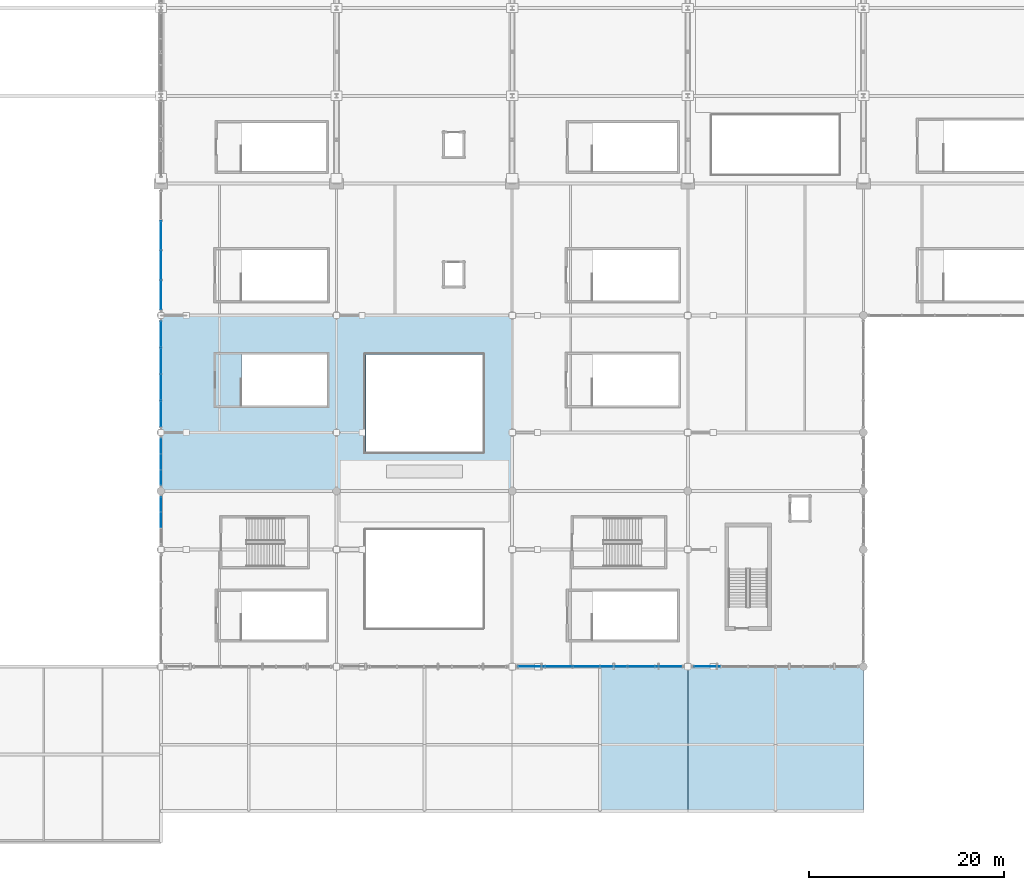
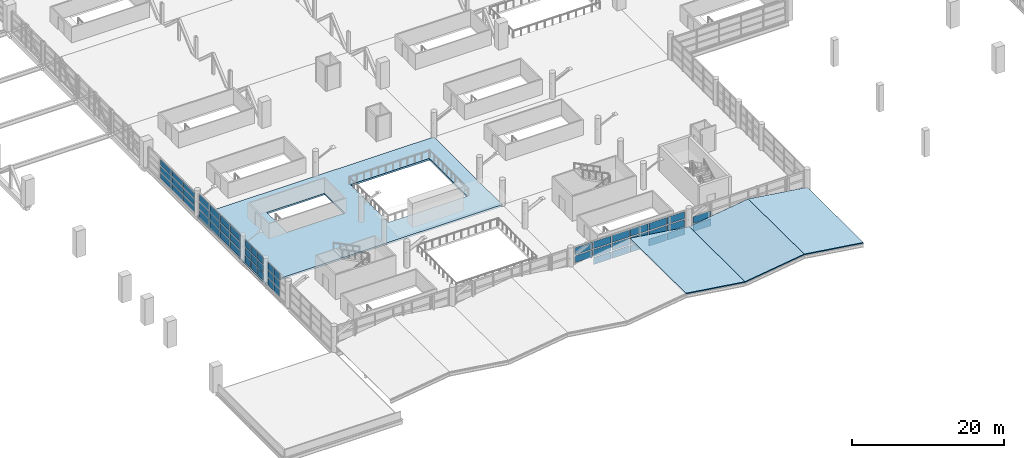
# One storey, part 98 of 136: 55 plates, 4 slabs, 6 elements without a shape of their own.
"""IFC4 building model written with IfcOpenShell, lengths in metres."""

from ifc_helpers import new_model, si_unit, direction, frame, origin, origin_2d, place, context, subcontext, project, spatial, polyline, rectangle, outline, extrude, material, layer, layer_set, type_object, element, aggregate, save


model = new_model("IFC4")

# Units and contexts
model_context = context("Model", 3, precision=1e-05, world=origin(), true_north=direction((0.0, 1.0)))
body_context = subcontext(model_context, "Body", "Model", "MODEL_VIEW")
ifc_project = project(units=[si_unit("LENGTHUNIT", "METRE"), si_unit("AREAUNIT", "SQUARE_METRE"), si_unit("VOLUMEUNIT", "CUBIC_METRE"), si_unit("PLANEANGLEUNIT", "RADIAN"), si_unit("MASSUNIT", "GRAM", prefix="KILO")], contexts=[model_context])

# Site, building, storey
site_placement = place(None, origin())
site = spatial("IfcSite", under=ifc_project, at=site_placement, CompositionType="ELEMENT")
building_placement = place(site_placement, origin())
building = spatial("IfcBuilding", under=site, at=building_placement, Name="Chuanluo Vaults Station", CompositionType="ELEMENT")
storey_placement = place(building_placement, frame((0.0, 0.0, 6.60009765625)))
storey = spatial("IfcBuildingStorey", under=building, at=storey_placement, Name="L01", CompositionType="ELEMENT", Elevation=6.60009765625)

# Curtain wall, plates
ifc_material_1 = material(Name="Anodised aluminium 6063-T6", Category="aluminium")
curtain_wall_type_1 = type_object("IfcCurtainWallType", Name="CW-SYS-03", PredefinedType="NOTDEFINED", material=ifc_material_1)
curtain_wall_1_placement = place(storey_placement, origin())
curtain_wall_1 = element("IfcCurtainWall", 1, at=curtain_wall_1_placement, inside=storey, type_object=curtain_wall_type_1, Name="Concourse west curtain wall 30 part 1", PredefinedType="NOTDEFINED")
ifc_material_2 = material(Name="Ceramic-fritted spandrel glass", Category="glass")
ifc_layer_1 = layer(ifc_material_2, 0.06396484375)
ifc_layer_set_1 = layer_set([ifc_layer_1], Name="Ceramic-fritted spandrel glass")
plate_type_1 = type_object("IfcPlateType", Name="CWP-SPN-42", PredefinedType="SHEET", material=ifc_layer_set_1)
plate_1_placement = place(storey_placement, frame((18.0, 33.0, 0.080078125), z_axis=(0.0, 0.0, 1.0), x_axis=(0.0, 1.0, 0.0)))
plate_1 = element("IfcPlate", 2, at=plate_1_placement, type_object=plate_type_1, Name="Concourse west curtain wall 30 part 1 glazed panel 2.1", PredefinedType="SHEET", context=body_context, shape_type="SweptSolid", body=[
    extrude(rectangle(XDim=1.456787109375, YDim=0.06396484375, at=origin_2d()), origin(), (0.0, 0.0, 1.0), 1.123291015625),
])
plate_2_placement = place(storey_placement, frame((18.0, 34.61669921875, 0.080078125), z_axis=(0.0, 0.0, 1.0), x_axis=(0.0, 1.0, 0.0)))
plate_2 = element("IfcPlate", 3, at=plate_2_placement, type_object=plate_type_1, Name="Concourse west curtain wall 30 part 1 glazed panel 3.1", PredefinedType="SHEET", context=body_context, shape_type="SweptSolid", body=[
    extrude(rectangle(XDim=1.456787109375, YDim=0.06396484375, at=origin_2d()), origin(), (0.0, 0.0, 1.0), 1.123291015625),
])

ifc_material_3 = material(Name="Anodised aluminium 6063-T6", Category="aluminium")
curtain_wall_type_2 = type_object("IfcCurtainWallType", Name="CW-SYS-09", PredefinedType="NOTDEFINED", material=ifc_material_3)
curtain_wall_2_placement = place(storey_placement, origin())
curtain_wall_2 = element("IfcCurtainWall", 4, at=curtain_wall_2_placement, inside=storey, type_object=curtain_wall_type_2, Name="Concourse west curtain wall 42", PredefinedType="NOTDEFINED")
plate_3_placement = place(storey_placement, frame((18.0, 43.931396484375, 0.080078125), z_axis=(0.0, 0.0, 1.0), x_axis=(0.0, 1.0, 0.0)))
plate_3 = element("IfcPlate", 5, at=plate_3_placement, type_object=plate_type_1, Name="Concourse west curtain wall 42 glazed panel 1.1", PredefinedType="SHEET", context=body_context, shape_type="SweptSolid", body=[
    extrude(rectangle(XDim=2.552490234375, YDim=0.06396484375, at=origin_2d()), origin(), (0.0, 0.0, 1.0), 1.123291015625),
])
plate_4_placement = place(storey_placement, frame((18.0, 46.643798828125, 0.080078125), z_axis=(0.0, 0.0, 1.0), x_axis=(0.0, 1.0, 0.0)))
plate_4 = element("IfcPlate", 6, at=plate_4_placement, type_object=plate_type_1, Name="Concourse west curtain wall 42 glazed panel 2.1", PredefinedType="SHEET", context=body_context, shape_type="SweptSolid", body=[
    extrude(rectangle(XDim=2.552490234375, YDim=0.06396484375, at=origin_2d()), origin(), (0.0, 0.0, 1.0), 1.123291015625),
])
plate_5_placement = place(storey_placement, frame((18.0, 49.356201171875, 0.080078125), z_axis=(0.0, 0.0, 1.0), x_axis=(0.0, 1.0, 0.0)))
plate_5 = element("IfcPlate", 7, at=plate_5_placement, type_object=plate_type_1, Name="Concourse west curtain wall 42 glazed panel 3.1", PredefinedType="SHEET", context=body_context, shape_type="SweptSolid", body=[
    extrude(rectangle(XDim=2.552490234375, YDim=0.06396484375, at=origin_2d()), origin(), (0.0, 0.0, 1.0), 1.123291015625),
])
plate_6_placement = place(storey_placement, frame((18.0, 52.068603515625, 0.080078125), z_axis=(0.0, 0.0, 1.0), x_axis=(0.0, 1.0, 0.0)))
plate_6 = element("IfcPlate", 8, at=plate_6_placement, type_object=plate_type_1, Name="Concourse west curtain wall 42 glazed panel 4.1", PredefinedType="SHEET", context=body_context, shape_type="SweptSolid", body=[
    extrude(rectangle(XDim=2.552490234375, YDim=0.06396484375, at=origin_2d()), origin(), (0.0, 0.0, 1.0), 1.123291015625),
])

ifc_material_4 = material(Name="Anodised aluminium 6063-T6", Category="aluminium")
curtain_wall_type_3 = type_object("IfcCurtainWallType", Name="CW-SYS-21", PredefinedType="NOTDEFINED", material=ifc_material_4)
curtain_wall_3_placement = place(storey_placement, origin())
curtain_wall_3 = element("IfcCurtainWall", 9, at=curtain_wall_3_placement, inside=storey, type_object=curtain_wall_type_3, Name="Over-track west hall CW 54", PredefinedType="NOTDEFINED")
plate_7_placement = place(storey_placement, frame((18.0, 56.10009765625, 0.079833984375), z_axis=(0.0, 0.0, 1.0), x_axis=(0.0, 1.0, 0.0)))
plate_7 = element("IfcPlate", 10, at=plate_7_placement, type_object=plate_type_1, Name="Over-track west hall CW 54 glazed panel 1.1", PredefinedType="SHEET", context=body_context, shape_type="SweptSolid", body=[
    extrude(rectangle(XDim=2.889892578125, YDim=0.06396484375, at=origin_2d()), origin(), (0.0, 0.0, 1.0), 0.92333984375),
])
plate_8_placement = place(storey_placement, frame((18.0, 59.14990234375, 0.079833984375), z_axis=(0.0, 0.0, 1.0), x_axis=(0.0, 1.0, 0.0)))
plate_8 = element("IfcPlate", 11, at=plate_8_placement, type_object=plate_type_1, Name="Over-track west hall CW 54 glazed panel 2.1", PredefinedType="SHEET", context=body_context, shape_type="SweptSolid", body=[
    extrude(rectangle(XDim=2.889892578125, YDim=0.06396484375, at=origin_2d()), origin(), (0.0, 0.0, 1.0), 0.92333984375),
])
plate_9_placement = place(storey_placement, frame((18.0, 62.199951171875, 0.079833984375), z_axis=(0.0, 0.0, 1.0), x_axis=(0.0, 1.0, 0.0)))
plate_9 = element("IfcPlate", 12, at=plate_9_placement, type_object=plate_type_1, Name="Over-track west hall CW 54 glazed panel 3.1", PredefinedType="SHEET", context=body_context, shape_type="SweptSolid", body=[
    extrude(rectangle(XDim=2.889892578125, YDim=0.06396484375, at=origin_2d()), origin(), (0.0, 0.0, 1.0), 0.92333984375),
])

ifc_material_5 = material(Name="Anodised aluminium 6063-T6", Category="aluminium")
curtain_wall_type_4 = type_object("IfcCurtainWallType", Name="CW-SYS-14", PredefinedType="NOTDEFINED", material=ifc_material_5)
curtain_wall_4_placement = place(storey_placement, origin())
curtain_wall_4 = element("IfcCurtainWall", 13, at=curtain_wall_4_placement, inside=storey, type_object=curtain_wall_type_4, Name="Concourse V4 south facade CW", PredefinedType="NOTDEFINED")
ifc_material_6 = material(Name="Ceramic-fritted spandrel glass", Category="glass")
ifc_layer_2 = layer(ifc_material_6, 0.070068359375)
ifc_layer_set_2 = layer_set([ifc_layer_2], Name="Ceramic-fritted spandrel glass")
plate_type_2 = type_object("IfcPlateType", Name="CWP-SPN-50", PredefinedType="SHEET", material=ifc_layer_set_2)
plate_10_placement = place(storey_placement, frame((70.020751953125, 18.0, 0.080078125), z_axis=(0.0, 0.0, 1.0), x_axis=(-1.0, 0.0, 0.0)))
plate_10 = element("IfcPlate", 14, at=plate_10_placement, type_object=plate_type_2, Name="Concourse V4 south facade CW glazed panel 1.1", PredefinedType="SHEET", context=body_context, shape_type="SweptSolid", body=[
    extrude(rectangle(XDim=2.648193359375, YDim=0.070068359375, at=origin_2d()), origin(), (0.0, 0.0, 1.0), 1.123291015625),
])
plate_11_placement = place(storey_placement, frame((67.21240234375, 18.0, 0.080078125), z_axis=(0.0, 0.0, 1.0), x_axis=(-1.0, 0.0, 0.0)))
plate_11 = element("IfcPlate", 15, at=plate_11_placement, type_object=plate_type_2, Name="Concourse V4 south facade CW glazed panel 2.1", PredefinedType="SHEET", context=body_context, shape_type="SweptSolid", body=[
    extrude(rectangle(XDim=2.648193359375, YDim=0.070068359375, at=origin_2d()), origin(), (0.0, 0.0, 1.0), 1.123291015625),
])
plate_12_placement = place(storey_placement, frame((64.404296875, 18.0, 0.080078125), z_axis=(0.0, 0.0, 1.0), x_axis=(-1.0, 0.0, 0.0)))
plate_12 = element("IfcPlate", 16, at=plate_12_placement, type_object=plate_type_2, Name="Concourse V4 south facade CW glazed panel 3.1", PredefinedType="SHEET", context=body_context, shape_type="SweptSolid", body=[
    extrude(rectangle(XDim=2.648193359375, YDim=0.070068359375, at=origin_2d()), origin(), (0.0, 0.0, 1.0), 1.123291015625),
])
plate_13_placement = place(storey_placement, frame((61.595703125, 18.0, 0.080078125), z_axis=(0.0, 0.0, 1.0), x_axis=(-1.0, 0.0, 0.0)))
plate_13 = element("IfcPlate", 17, at=plate_13_placement, type_object=plate_type_2, Name="Concourse V4 south facade CW glazed panel 4.1", PredefinedType="SHEET", context=body_context, shape_type="SweptSolid", body=[
    extrude(rectangle(XDim=2.648193359375, YDim=0.070068359375, at=origin_2d()), origin(), (0.0, 0.0, 1.0), 1.123291015625),
])
plate_14_placement = place(storey_placement, frame((58.78759765625, 18.0, 0.080078125), z_axis=(0.0, 0.0, 1.0), x_axis=(-1.0, 0.0, 0.0)))
plate_14 = element("IfcPlate", 18, at=plate_14_placement, type_object=plate_type_2, Name="Concourse V4 south facade CW glazed panel 5.1", PredefinedType="SHEET", context=body_context, shape_type="SweptSolid", body=[
    extrude(rectangle(XDim=2.648193359375, YDim=0.070068359375, at=origin_2d()), origin(), (0.0, 0.0, 1.0), 1.123291015625),
])

# Curtain wall, plate
ifc_material_7 = material(Name="Anodised aluminium 6063-T6", Category="aluminium")
curtain_wall_type_5 = type_object("IfcCurtainWallType", Name="CW-SYS-18", PredefinedType="NOTDEFINED", material=ifc_material_7)
curtain_wall_5_placement = place(storey_placement, origin())
curtain_wall_5 = element("IfcCurtainWall", 19, at=curtain_wall_5_placement, inside=storey, type_object=curtain_wall_type_5, Name="Concourse V5 south facade CW", PredefinedType="NOTDEFINED")
plate_15_placement = place(storey_placement, frame((73.979248046875, 18.0, 0.080078125), z_axis=(0.0, 0.0, 1.0), x_axis=(-1.0, 0.0, 0.0)))
plate_15 = element("IfcPlate", 20, at=plate_15_placement, type_object=plate_type_2, Name="Concourse V5 south facade CW glazed panel 6.1", PredefinedType="SHEET", context=body_context, shape_type="SweptSolid", body=[
    extrude(rectangle(XDim=2.648193359375, YDim=0.070068359375, at=origin_2d()), origin(), (0.0, 0.0, 1.0), 1.123291015625),
])

# Curtain wall, plates
ifc_material_8 = material(Name="Anodised aluminium 6063-T6", Category="aluminium")
curtain_wall_type_6 = type_object("IfcCurtainWallType", Name="CW-SYS-04", PredefinedType="NOTDEFINED", material=ifc_material_8)
curtain_wall_6_placement = place(storey_placement, origin())
curtain_wall_6 = element("IfcCurtainWall", 21, at=curtain_wall_6_placement, inside=storey, type_object=curtain_wall_type_6, Name="Concourse west curtain wall 30 part 2", PredefinedType="NOTDEFINED")
plate_16_placement = place(storey_placement, frame((18.0, 37.38330078125, 0.080078125), z_axis=(0.0, 0.0, 1.0), x_axis=(0.0, 1.0, 0.0)))
plate_16 = element("IfcPlate", 22, at=plate_16_placement, type_object=plate_type_2, Name="Concourse west curtain wall 30 part 2 glazed panel 1.1", PredefinedType="SHEET", context=body_context, shape_type="SweptSolid", body=[
    extrude(rectangle(XDim=1.456787109375, YDim=0.070068359375, at=origin_2d()), origin(), (0.0, 0.0, 1.0), 1.123291015625),
])
plate_17_placement = place(storey_placement, frame((18.0, 39.0, 0.080078125), z_axis=(0.0, 0.0, 1.0), x_axis=(0.0, 1.0, 0.0)))
plate_17 = element("IfcPlate", 23, at=plate_17_placement, type_object=plate_type_2, Name="Concourse west curtain wall 30 part 2 glazed panel 2.1", PredefinedType="SHEET", context=body_context, shape_type="SweptSolid", body=[
    extrude(rectangle(XDim=1.456787109375, YDim=0.070068359375, at=origin_2d()), origin(), (0.0, 0.0, 1.0), 1.123291015625),
])
plate_18_placement = place(storey_placement, frame((18.0, 40.61669921875, 0.080078125), z_axis=(0.0, 0.0, 1.0), x_axis=(0.0, 1.0, 0.0)))
plate_18 = element("IfcPlate", 24, at=plate_18_placement, type_object=plate_type_2, Name="Concourse west curtain wall 30 part 2 glazed panel 3.1", PredefinedType="SHEET", context=body_context, shape_type="SweptSolid", body=[
    extrude(rectangle(XDim=1.456787109375, YDim=0.070068359375, at=origin_2d()), origin(), (0.0, 0.0, 1.0), 1.123291015625),
])
ifc_material_9 = material(Name="Double-silver Low-E laminated glass", Category="glass")
ifc_layer_3 = layer(ifc_material_9, 0.0439453125)
ifc_layer_set_3 = layer_set([ifc_layer_3], Name="Double-silver Low-E laminated glass")
plate_type_3 = type_object("IfcPlateType", Name="CWP-VIS-28", PredefinedType="CURTAIN_PANEL", material=ifc_layer_set_3)
plate_19_placement = place(storey_placement, frame((18.0, 37.38330078125, 1.36328125), z_axis=(0.0, 0.0, 1.0), x_axis=(0.0, 1.0, 0.0)))
plate_19 = element("IfcPlate", 25, at=plate_19_placement, type_object=plate_type_3, Name="Concourse west curtain wall 30 part 2 glazed panel 1.2", PredefinedType="CURTAIN_PANEL", context=body_context, shape_type="SweptSolid", body=[
    extrude(rectangle(XDim=1.456787109375, YDim=0.0439453125, at=origin_2d()), origin(), (0.0, 0.0, 1.0), 1.123291015625),
])
plate_20_placement = place(storey_placement, frame((18.0, 37.38330078125, 2.646484375), z_axis=(0.0, 0.0, 1.0), x_axis=(0.0, 1.0, 0.0)))
plate_20 = element("IfcPlate", 26, at=plate_20_placement, type_object=plate_type_3, Name="Concourse west curtain wall 30 part 2 glazed panel 1.3", PredefinedType="CURTAIN_PANEL", context=body_context, shape_type="SweptSolid", body=[
    extrude(rectangle(XDim=1.456787109375, YDim=0.0439453125, at=origin_2d()), origin(), (0.0, 0.0, 1.0), 1.123291015625),
])
plate_21_placement = place(storey_placement, frame((18.0, 39.0, 1.36328125), z_axis=(0.0, 0.0, 1.0), x_axis=(0.0, 1.0, 0.0)))
plate_21 = element("IfcPlate", 27, at=plate_21_placement, type_object=plate_type_3, Name="Concourse west curtain wall 30 part 2 glazed panel 2.2", PredefinedType="CURTAIN_PANEL", context=body_context, shape_type="SweptSolid", body=[
    extrude(rectangle(XDim=1.456787109375, YDim=0.0439453125, at=origin_2d()), origin(), (0.0, 0.0, 1.0), 1.123291015625),
])
plate_22_placement = place(storey_placement, frame((18.0, 39.0, 2.646484375), z_axis=(0.0, 0.0, 1.0), x_axis=(0.0, 1.0, 0.0)))
plate_22 = element("IfcPlate", 28, at=plate_22_placement, type_object=plate_type_3, Name="Concourse west curtain wall 30 part 2 glazed panel 2.3", PredefinedType="CURTAIN_PANEL", context=body_context, shape_type="SweptSolid", body=[
    extrude(rectangle(XDim=1.456787109375, YDim=0.0439453125, at=origin_2d()), origin(), (0.0, 0.0, 1.0), 1.123291015625),
])
plate_23_placement = place(storey_placement, frame((18.0, 40.61669921875, 1.36328125), z_axis=(0.0, 0.0, 1.0), x_axis=(0.0, 1.0, 0.0)))
plate_23 = element("IfcPlate", 29, at=plate_23_placement, type_object=plate_type_3, Name="Concourse west curtain wall 30 part 2 glazed panel 3.2", PredefinedType="CURTAIN_PANEL", context=body_context, shape_type="SweptSolid", body=[
    extrude(rectangle(XDim=1.456787109375, YDim=0.0439453125, at=origin_2d()), origin(), (0.0, 0.0, 1.0), 1.123291015625),
])
plate_24_placement = place(storey_placement, frame((18.0, 40.61669921875, 2.646484375), z_axis=(0.0, 0.0, 1.0), x_axis=(0.0, 1.0, 0.0)))
plate_24 = element("IfcPlate", 30, at=plate_24_placement, type_object=plate_type_3, Name="Concourse west curtain wall 30 part 2 glazed panel 3.3", PredefinedType="CURTAIN_PANEL", context=body_context, shape_type="SweptSolid", body=[
    extrude(rectangle(XDim=1.456787109375, YDim=0.0439453125, at=origin_2d()), origin(), (0.0, 0.0, 1.0), 1.123291015625),
])
aggregate(curtain_wall_6, [plate_16, plate_19, plate_20, plate_17, plate_21, plate_22, plate_18, plate_23, plate_24])

# Plate
ifc_material_10 = material(Name="Double-silver Low-E laminated glass", Category="glass")
ifc_layer_4 = layer(ifc_material_10, 0.048095703125)
ifc_layer_set_4 = layer_set([ifc_layer_4], Name="Double-silver Low-E laminated glass")
plate_type_4 = type_object("IfcPlateType", Name="CWP-VIS-32", PredefinedType="CURTAIN_PANEL", material=ifc_layer_set_4)
plate_25_placement = place(storey_placement, frame((18.0, 33.0, 1.36328125), z_axis=(0.0, 0.0, 1.0), x_axis=(0.0, 1.0, 0.0)))
plate_25 = element("IfcPlate", 31, at=plate_25_placement, type_object=plate_type_4, Name="Concourse west curtain wall 30 part 1 glazed panel 2.2", PredefinedType="CURTAIN_PANEL", context=body_context, shape_type="SweptSolid", body=[
    extrude(rectangle(XDim=1.456787109375, YDim=0.048095703125, at=origin_2d()), origin(), (0.0, 0.0, 1.0), 1.123291015625),
])

plate_26_placement = place(storey_placement, frame((18.0, 33.0, 2.646484375), z_axis=(0.0, 0.0, 1.0), x_axis=(0.0, 1.0, 0.0)))
plate_26 = element("IfcPlate", 32, at=plate_26_placement, type_object=plate_type_4, Name="Concourse west curtain wall 30 part 1 glazed panel 2.3", PredefinedType="CURTAIN_PANEL", context=body_context, shape_type="SweptSolid", body=[
    extrude(rectangle(XDim=1.456787109375, YDim=0.048095703125, at=origin_2d()), origin(), (0.0, 0.0, 1.0), 1.123291015625),
])

plate_27_placement = place(storey_placement, frame((18.0, 34.61669921875, 1.36328125), z_axis=(0.0, 0.0, 1.0), x_axis=(0.0, 1.0, 0.0)))
plate_27 = element("IfcPlate", 33, at=plate_27_placement, type_object=plate_type_4, Name="Concourse west curtain wall 30 part 1 glazed panel 3.2", PredefinedType="CURTAIN_PANEL", context=body_context, shape_type="SweptSolid", body=[
    extrude(rectangle(XDim=1.456787109375, YDim=0.048095703125, at=origin_2d()), origin(), (0.0, 0.0, 1.0), 1.123291015625),
])

plate_28_placement = place(storey_placement, frame((18.0, 34.61669921875, 2.646484375), z_axis=(0.0, 0.0, 1.0), x_axis=(0.0, 1.0, 0.0)))
plate_28 = element("IfcPlate", 34, at=plate_28_placement, type_object=plate_type_4, Name="Concourse west curtain wall 30 part 1 glazed panel 3.3", PredefinedType="CURTAIN_PANEL", context=body_context, shape_type="SweptSolid", body=[
    extrude(rectangle(XDim=1.456787109375, YDim=0.048095703125, at=origin_2d()), origin(), (0.0, 0.0, 1.0), 1.123291015625),
])

aggregate(curtain_wall_1, [plate_1, plate_25, plate_26, plate_2, plate_27, plate_28])

ifc_material_11 = material(Name="Double-silver Low-E laminated glass", Category="glass")
ifc_layer_5 = layer(ifc_material_11, 0.053955078125)
ifc_layer_set_5 = layer_set([ifc_layer_5], Name="Double-silver Low-E laminated glass")
plate_type_5 = type_object("IfcPlateType", Name="CWP-VIS-36", PredefinedType="CURTAIN_PANEL", material=ifc_layer_set_5)
plate_29_placement = place(storey_placement, frame((70.020751953125, 18.0, 1.36328125), z_axis=(0.0, 0.0, 1.0), x_axis=(-1.0, 0.0, 0.0)))
plate_29 = element("IfcPlate", 35, at=plate_29_placement, type_object=plate_type_5, Name="Concourse V4 south facade CW glazed panel 1.2", PredefinedType="CURTAIN_PANEL", context=body_context, shape_type="SweptSolid", body=[
    extrude(rectangle(XDim=2.648193359375, YDim=0.053955078125, at=origin_2d()), origin(), (0.0, 0.0, 1.0), 1.123291015625),
])

plate_30_placement = place(storey_placement, frame((70.020751953125, 18.0, 2.646484375), z_axis=(0.0, 0.0, 1.0), x_axis=(-1.0, 0.0, 0.0)))
plate_30 = element("IfcPlate", 36, at=plate_30_placement, type_object=plate_type_5, Name="Concourse V4 south facade CW glazed panel 1.3", PredefinedType="CURTAIN_PANEL", context=body_context, shape_type="SweptSolid", body=[
    extrude(rectangle(XDim=2.648193359375, YDim=0.053955078125, at=origin_2d()), origin(), (0.0, 0.0, 1.0), 1.123291015625),
])

plate_31_placement = place(storey_placement, frame((67.21240234375, 18.0, 1.36328125), z_axis=(0.0, 0.0, 1.0), x_axis=(-1.0, 0.0, 0.0)))
plate_31 = element("IfcPlate", 37, at=plate_31_placement, type_object=plate_type_5, Name="Concourse V4 south facade CW glazed panel 2.2", PredefinedType="CURTAIN_PANEL", context=body_context, shape_type="SweptSolid", body=[
    extrude(rectangle(XDim=2.648193359375, YDim=0.053955078125, at=origin_2d()), origin(), (0.0, 0.0, 1.0), 1.123291015625),
])

plate_32_placement = place(storey_placement, frame((67.21240234375, 18.0, 2.646484375), z_axis=(0.0, 0.0, 1.0), x_axis=(-1.0, 0.0, 0.0)))
plate_32 = element("IfcPlate", 38, at=plate_32_placement, type_object=plate_type_5, Name="Concourse V4 south facade CW glazed panel 2.3", PredefinedType="CURTAIN_PANEL", context=body_context, shape_type="SweptSolid", body=[
    extrude(rectangle(XDim=2.648193359375, YDim=0.053955078125, at=origin_2d()), origin(), (0.0, 0.0, 1.0), 1.123291015625),
])

plate_33_placement = place(storey_placement, frame((64.404296875, 18.0, 1.36328125), z_axis=(0.0, 0.0, 1.0), x_axis=(-1.0, 0.0, 0.0)))
plate_33 = element("IfcPlate", 39, at=plate_33_placement, type_object=plate_type_5, Name="Concourse V4 south facade CW glazed panel 3.2", PredefinedType="CURTAIN_PANEL", context=body_context, shape_type="SweptSolid", body=[
    extrude(rectangle(XDim=2.648193359375, YDim=0.053955078125, at=origin_2d()), origin(), (0.0, 0.0, 1.0), 1.123291015625),
])

plate_34_placement = place(storey_placement, frame((64.404296875, 18.0, 2.646484375), z_axis=(0.0, 0.0, 1.0), x_axis=(-1.0, 0.0, 0.0)))
plate_34 = element("IfcPlate", 40, at=plate_34_placement, type_object=plate_type_5, Name="Concourse V4 south facade CW glazed panel 3.3", PredefinedType="CURTAIN_PANEL", context=body_context, shape_type="SweptSolid", body=[
    extrude(rectangle(XDim=2.648193359375, YDim=0.053955078125, at=origin_2d()), origin(), (0.0, 0.0, 1.0), 1.123291015625),
])

plate_35_placement = place(storey_placement, frame((61.595703125, 18.0, 1.36328125), z_axis=(0.0, 0.0, 1.0), x_axis=(-1.0, 0.0, 0.0)))
plate_35 = element("IfcPlate", 41, at=plate_35_placement, type_object=plate_type_5, Name="Concourse V4 south facade CW glazed panel 4.2", PredefinedType="CURTAIN_PANEL", context=body_context, shape_type="SweptSolid", body=[
    extrude(rectangle(XDim=2.648193359375, YDim=0.053955078125, at=origin_2d()), origin(), (0.0, 0.0, 1.0), 1.123291015625),
])

plate_36_placement = place(storey_placement, frame((61.595703125, 18.0, 2.646484375), z_axis=(0.0, 0.0, 1.0), x_axis=(-1.0, 0.0, 0.0)))
plate_36 = element("IfcPlate", 42, at=plate_36_placement, type_object=plate_type_5, Name="Concourse V4 south facade CW glazed panel 4.3", PredefinedType="CURTAIN_PANEL", context=body_context, shape_type="SweptSolid", body=[
    extrude(rectangle(XDim=2.648193359375, YDim=0.053955078125, at=origin_2d()), origin(), (0.0, 0.0, 1.0), 1.123291015625),
])

plate_37_placement = place(storey_placement, frame((58.78759765625, 18.0, 1.36328125), z_axis=(0.0, 0.0, 1.0), x_axis=(-1.0, 0.0, 0.0)))
plate_37 = element("IfcPlate", 43, at=plate_37_placement, type_object=plate_type_5, Name="Concourse V4 south facade CW glazed panel 5.2", PredefinedType="CURTAIN_PANEL", context=body_context, shape_type="SweptSolid", body=[
    extrude(rectangle(XDim=2.648193359375, YDim=0.053955078125, at=origin_2d()), origin(), (0.0, 0.0, 1.0), 1.123291015625),
])

plate_38_placement = place(storey_placement, frame((58.78759765625, 18.0, 2.646484375), z_axis=(0.0, 0.0, 1.0), x_axis=(-1.0, 0.0, 0.0)))
plate_38 = element("IfcPlate", 44, at=plate_38_placement, type_object=plate_type_5, Name="Concourse V4 south facade CW glazed panel 5.3", PredefinedType="CURTAIN_PANEL", context=body_context, shape_type="SweptSolid", body=[
    extrude(rectangle(XDim=2.648193359375, YDim=0.053955078125, at=origin_2d()), origin(), (0.0, 0.0, 1.0), 1.123291015625),
])

plate_39_placement = place(storey_placement, frame((55.979248046875, 18.0, 1.36328125), z_axis=(0.0, 0.0, 1.0), x_axis=(-1.0, 0.0, 0.0)))
plate_39 = element("IfcPlate", 45, at=plate_39_placement, type_object=plate_type_5, Name="Concourse V4 south facade CW glazed panel 6.2", PredefinedType="CURTAIN_PANEL", context=body_context, shape_type="SweptSolid", body=[
    extrude(rectangle(XDim=2.648193359375, YDim=0.053955078125, at=origin_2d()), origin(), (0.0, 0.0, 1.0), 1.123291015625),
])

plate_40_placement = place(storey_placement, frame((55.979248046875, 18.0, 2.646484375), z_axis=(0.0, 0.0, 1.0), x_axis=(-1.0, 0.0, 0.0)))
plate_40 = element("IfcPlate", 46, at=plate_40_placement, type_object=plate_type_5, Name="Concourse V4 south facade CW glazed panel 6.3", PredefinedType="CURTAIN_PANEL", context=body_context, shape_type="SweptSolid", body=[
    extrude(rectangle(XDim=2.648193359375, YDim=0.053955078125, at=origin_2d()), origin(), (0.0, 0.0, 1.0), 1.123291015625),
])

aggregate(curtain_wall_4, [plate_10, plate_29, plate_30, plate_11, plate_31, plate_32, plate_12, plate_33, plate_34, plate_13, plate_35, plate_36, plate_14, plate_37, plate_38, plate_39, plate_40])

plate_41_placement = place(storey_placement, frame((73.979248046875, 18.0, 1.36328125), z_axis=(0.0, 0.0, 1.0), x_axis=(-1.0, 0.0, 0.0)))
plate_41 = element("IfcPlate", 47, at=plate_41_placement, type_object=plate_type_5, Name="Concourse V5 south facade CW glazed panel 6.2", PredefinedType="CURTAIN_PANEL", context=body_context, shape_type="SweptSolid", body=[
    extrude(rectangle(XDim=2.648193359375, YDim=0.053955078125, at=origin_2d()), origin(), (0.0, 0.0, 1.0), 1.123291015625),
])

aggregate(curtain_wall_5, [plate_15, plate_41])

ifc_material_12 = material(Name="Double-silver Low-E laminated glass", Category="glass")
ifc_layer_6 = layer(ifc_material_12, 0.05810546875)
ifc_layer_set_6 = layer_set([ifc_layer_6], Name="Double-silver Low-E laminated glass")
plate_type_6 = type_object("IfcPlateType", Name="CWP-VIS-38", PredefinedType="CURTAIN_PANEL", material=ifc_layer_set_6)
plate_42_placement = place(storey_placement, frame((18.0, 43.931396484375, 1.36328125), z_axis=(0.0, 0.0, 1.0), x_axis=(0.0, 1.0, 0.0)))
plate_42 = element("IfcPlate", 48, at=plate_42_placement, type_object=plate_type_6, Name="Concourse west curtain wall 42 glazed panel 1.2", PredefinedType="CURTAIN_PANEL", context=body_context, shape_type="SweptSolid", body=[
    extrude(rectangle(XDim=2.552490234375, YDim=0.05810546875, at=origin_2d()), origin(), (0.0, 0.0, 1.0), 1.123291015625),
])

plate_43_placement = place(storey_placement, frame((18.0, 43.931396484375, 2.646484375), z_axis=(0.0, 0.0, 1.0), x_axis=(0.0, 1.0, 0.0)))
plate_43 = element("IfcPlate", 49, at=plate_43_placement, type_object=plate_type_6, Name="Concourse west curtain wall 42 glazed panel 1.3", PredefinedType="CURTAIN_PANEL", context=body_context, shape_type="SweptSolid", body=[
    extrude(rectangle(XDim=2.552490234375, YDim=0.05810546875, at=origin_2d()), origin(), (0.0, 0.0, 1.0), 1.123291015625),
])

plate_44_placement = place(storey_placement, frame((18.0, 46.643798828125, 1.36328125), z_axis=(0.0, 0.0, 1.0), x_axis=(0.0, 1.0, 0.0)))
plate_44 = element("IfcPlate", 50, at=plate_44_placement, type_object=plate_type_6, Name="Concourse west curtain wall 42 glazed panel 2.2", PredefinedType="CURTAIN_PANEL", context=body_context, shape_type="SweptSolid", body=[
    extrude(rectangle(XDim=2.552490234375, YDim=0.05810546875, at=origin_2d()), origin(), (0.0, 0.0, 1.0), 1.123291015625),
])

plate_45_placement = place(storey_placement, frame((18.0, 46.643798828125, 2.646484375), z_axis=(0.0, 0.0, 1.0), x_axis=(0.0, 1.0, 0.0)))
plate_45 = element("IfcPlate", 51, at=plate_45_placement, type_object=plate_type_6, Name="Concourse west curtain wall 42 glazed panel 2.3", PredefinedType="CURTAIN_PANEL", context=body_context, shape_type="SweptSolid", body=[
    extrude(rectangle(XDim=2.552490234375, YDim=0.05810546875, at=origin_2d()), origin(), (0.0, 0.0, 1.0), 1.123291015625),
])

plate_46_placement = place(storey_placement, frame((18.0, 49.356201171875, 1.36328125), z_axis=(0.0, 0.0, 1.0), x_axis=(0.0, 1.0, 0.0)))
plate_46 = element("IfcPlate", 52, at=plate_46_placement, type_object=plate_type_6, Name="Concourse west curtain wall 42 glazed panel 3.2", PredefinedType="CURTAIN_PANEL", context=body_context, shape_type="SweptSolid", body=[
    extrude(rectangle(XDim=2.552490234375, YDim=0.05810546875, at=origin_2d()), origin(), (0.0, 0.0, 1.0), 1.123291015625),
])

plate_47_placement = place(storey_placement, frame((18.0, 49.356201171875, 2.646484375), z_axis=(0.0, 0.0, 1.0), x_axis=(0.0, 1.0, 0.0)))
plate_47 = element("IfcPlate", 53, at=plate_47_placement, type_object=plate_type_6, Name="Concourse west curtain wall 42 glazed panel 3.3", PredefinedType="CURTAIN_PANEL", context=body_context, shape_type="SweptSolid", body=[
    extrude(rectangle(XDim=2.552490234375, YDim=0.05810546875, at=origin_2d()), origin(), (0.0, 0.0, 1.0), 1.123291015625),
])

plate_48_placement = place(storey_placement, frame((18.0, 52.068603515625, 1.36328125), z_axis=(0.0, 0.0, 1.0), x_axis=(0.0, 1.0, 0.0)))
plate_48 = element("IfcPlate", 54, at=plate_48_placement, type_object=plate_type_6, Name="Concourse west curtain wall 42 glazed panel 4.2", PredefinedType="CURTAIN_PANEL", context=body_context, shape_type="SweptSolid", body=[
    extrude(rectangle(XDim=2.552490234375, YDim=0.05810546875, at=origin_2d()), origin(), (0.0, 0.0, 1.0), 1.123291015625),
])

plate_49_placement = place(storey_placement, frame((18.0, 52.068603515625, 2.646484375), z_axis=(0.0, 0.0, 1.0), x_axis=(0.0, 1.0, 0.0)))
plate_49 = element("IfcPlate", 55, at=plate_49_placement, type_object=plate_type_6, Name="Concourse west curtain wall 42 glazed panel 4.3", PredefinedType="CURTAIN_PANEL", context=body_context, shape_type="SweptSolid", body=[
    extrude(rectangle(XDim=2.552490234375, YDim=0.05810546875, at=origin_2d()), origin(), (0.0, 0.0, 1.0), 1.123291015625),
])

aggregate(curtain_wall_2, [plate_3, plate_42, plate_43, plate_4, plate_44, plate_45, plate_5, plate_46, plate_47, plate_6, plate_48, plate_49])

plate_50_placement = place(storey_placement, frame((18.0, 56.10009765625, 1.163330078125), z_axis=(0.0, 0.0, 1.0), x_axis=(0.0, 1.0, 0.0)))
plate_50 = element("IfcPlate", 56, at=plate_50_placement, type_object=plate_type_6, Name="Over-track west hall CW 54 glazed panel 1.2", PredefinedType="CURTAIN_PANEL", context=body_context, shape_type="SweptSolid", body=[
    extrude(rectangle(XDim=2.889892578125, YDim=0.05810546875, at=origin_2d()), origin(), (0.0, 0.0, 1.0), 0.92333984375),
])

plate_51_placement = place(storey_placement, frame((18.0, 56.10009765625, 2.24658203125), z_axis=(0.0, 0.0, 1.0), x_axis=(0.0, 1.0, 0.0)))
plate_51 = element("IfcPlate", 57, at=plate_51_placement, type_object=plate_type_6, Name="Over-track west hall CW 54 glazed panel 1.3", PredefinedType="CURTAIN_PANEL", context=body_context, shape_type="SweptSolid", body=[
    extrude(rectangle(XDim=2.889892578125, YDim=0.05810546875, at=origin_2d()), origin(), (0.0, 0.0, 1.0), 0.92333984375),
])

plate_52_placement = place(storey_placement, frame((18.0, 59.14990234375, 1.163330078125), z_axis=(0.0, 0.0, 1.0), x_axis=(0.0, 1.0, 0.0)))
plate_52 = element("IfcPlate", 58, at=plate_52_placement, type_object=plate_type_6, Name="Over-track west hall CW 54 glazed panel 2.2", PredefinedType="CURTAIN_PANEL", context=body_context, shape_type="SweptSolid", body=[
    extrude(rectangle(XDim=2.889892578125, YDim=0.05810546875, at=origin_2d()), origin(), (0.0, 0.0, 1.0), 0.92333984375),
])

plate_53_placement = place(storey_placement, frame((18.0, 59.14990234375, 2.24658203125), z_axis=(0.0, 0.0, 1.0), x_axis=(0.0, 1.0, 0.0)))
plate_53 = element("IfcPlate", 59, at=plate_53_placement, type_object=plate_type_6, Name="Over-track west hall CW 54 glazed panel 2.3", PredefinedType="CURTAIN_PANEL", context=body_context, shape_type="SweptSolid", body=[
    extrude(rectangle(XDim=2.889892578125, YDim=0.05810546875, at=origin_2d()), origin(), (0.0, 0.0, 1.0), 0.92333984375),
])

plate_54_placement = place(storey_placement, frame((18.0, 62.199951171875, 1.163330078125), z_axis=(0.0, 0.0, 1.0), x_axis=(0.0, 1.0, 0.0)))
plate_54 = element("IfcPlate", 60, at=plate_54_placement, type_object=plate_type_6, Name="Over-track west hall CW 54 glazed panel 3.2", PredefinedType="CURTAIN_PANEL", context=body_context, shape_type="SweptSolid", body=[
    extrude(rectangle(XDim=2.889892578125, YDim=0.05810546875, at=origin_2d()), origin(), (0.0, 0.0, 1.0), 0.92333984375),
])

plate_55_placement = place(storey_placement, frame((18.0, 62.199951171875, 2.24658203125), z_axis=(0.0, 0.0, 1.0), x_axis=(0.0, 1.0, 0.0)))
plate_55 = element("IfcPlate", 61, at=plate_55_placement, type_object=plate_type_6, Name="Over-track west hall CW 54 glazed panel 3.3", PredefinedType="CURTAIN_PANEL", context=body_context, shape_type="SweptSolid", body=[
    extrude(rectangle(XDim=2.889892578125, YDim=0.05810546875, at=origin_2d()), origin(), (0.0, 0.0, 1.0), 0.92333984375),
])

aggregate(curtain_wall_3, [plate_7, plate_50, plate_51, plate_8, plate_52, plate_53, plate_9, plate_54, plate_55])

# Slabs
ifc_material_13 = material(Name="Concrete C50", Category="concrete")
ifc_layer_7 = layer(ifc_material_13, 0.159912109375)
ifc_layer_set_7 = layer_set([ifc_layer_7], Name="Concrete C50")
slab_type_1 = type_object("IfcSlabType", Name="SLB-CAN-160", PredefinedType="ROOF", material=ifc_layer_set_7)
slab_1_placement = place(storey_placement, frame((63.0, 3.199951171875, 2.5), z_axis=(0.140805308005, 0.006695798676, 0.990014662274), x_axis=(0.99003685604, 0.0, -0.140808464524)))
element("IfcSlab", 62, at=slab_1_placement, inside=storey, type_object=slab_type_1, Name="Forecourt arrival canopy folded roof 3-E", PredefinedType="ROOF", context=body_context, shape_type="SweptSolid", body=[
    extrude(outline(polyline([(0.0, 0.0), (9.090570664202458, 0.0), (9.10466526148149, 14.800380609903193), (0.014094597279032759, 14.800380609903193), (0.0, 0.0)])), origin(), (0.0, 0.0, -1.0), 0.159912109375),
])
slab_2_placement = place(storey_placement, frame((72.0, 3.199951171875, 1.219970703125), z_axis=(-0.140805308005, 0.006695798676, 0.990014662274), x_axis=(0.99003685604, 0.0, 0.140808464524)))
element("IfcSlab", 63, at=slab_2_placement, inside=storey, type_object=slab_type_1, Name="Forecourt arrival canopy folded roof 4-W", PredefinedType="ROOF", context=body_context, shape_type="SweptSolid", body=[
    extrude(outline(polyline([(0.0, 0.0), (9.090570664202458, 0.0), (9.076476066923425, 14.800380609903193), (-0.014094597279032759, 14.800380609903193), (0.0, 0.0)])), origin(), (0.0, 0.0, -1.0), 0.159912109375),
])
slab_3_placement = place(storey_placement, frame((81.0, 3.199951171875, 2.5), z_axis=(0.140805308005, 0.006695798676, 0.990014662274), x_axis=(0.99003685604, 0.0, -0.140808464524)))
element("IfcSlab", 64, at=slab_3_placement, inside=storey, type_object=slab_type_1, Name="Forecourt arrival canopy folded roof 4-E", PredefinedType="ROOF", context=body_context, shape_type="SweptSolid", body=[
    extrude(outline(polyline([(0.0, 0.0), (9.090570664202458, 0.0), (9.10466526148149, 14.800380609903193), (0.014094597279032759, 14.800380609903193), (0.0, 0.0)])), origin(), (0.0, 0.0, -1.0), 0.159912109375),
])
ifc_material_14 = material(Name="Concrete C40", Category="concrete")
ifc_layer_8 = layer(ifc_material_14, 0.280029296875)
ifc_layer_set_8 = layer_set([ifc_layer_8], Name="Concrete C40")
slab_type_2 = type_object("IfcSlabType", Name="SLB-CON-280", PredefinedType="FLOOR", material=ifc_layer_set_8)
slab_4_placement = place(storey_placement, frame((0.0, 0.0, -0.280029296875)))
element("IfcSlab", 65, at=slab_4_placement, inside=storey, type_object=slab_type_2, Name="L01 CON slab 02", PredefinedType="FLOOR", context=body_context, shape_type="SweptSolid", body=[
    extrude(outline(polyline([(18.0, 36.0), (54.0, 36.0), (54.0, 54.0), (18.0, 54.0), (18.0, 36.0)]), holes=[polyline([(26.25390625, 44.75), (35.050048828125, 44.75), (35.050048828125, 50.0), (26.25390625, 50.0), (26.25390625, 44.75)]), polyline([(39.0, 40.0), (51.0, 40.0), (51.0, 50.0), (39.0, 50.0), (39.0, 40.0)])]), origin(), (0.0, 0.0, 1.0), 0.280029296875),
])

save(model, "model.ifc")
